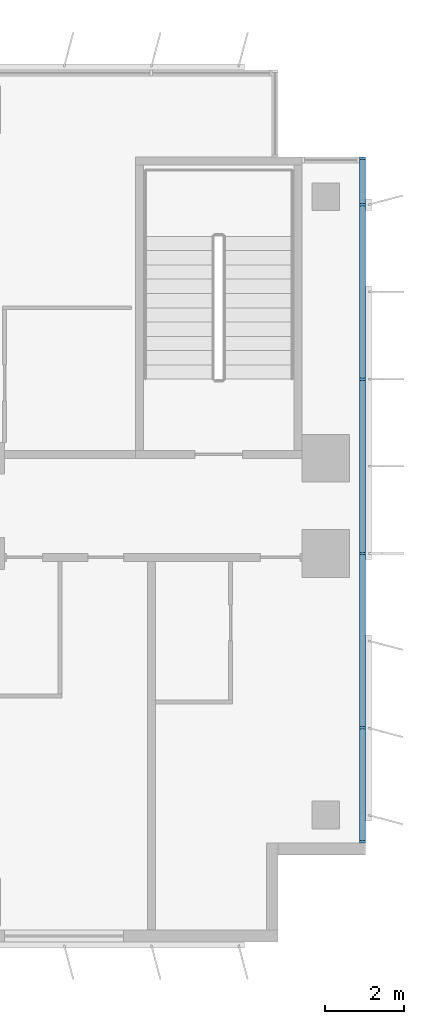
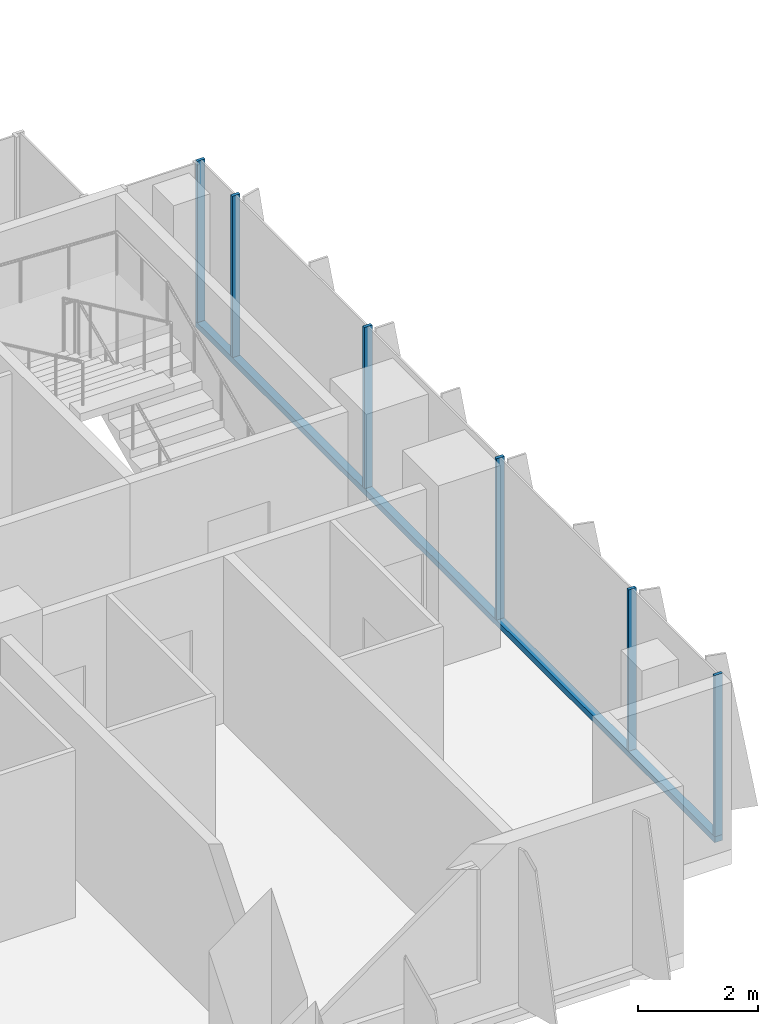
# One storey, part 8 of 23: 7 members, 1 element without a shape of its own.
"""IFC4 building model written with IfcOpenShell, lengths in metres."""

from ifc_helpers import new_model, si_unit, direction, frame, origin, origin_2d, place, context, subcontext, project, spatial, rectangle, extrude, source, transform, mapped, material, material_profile, profile_set, type_object, element, aggregate, save


model = new_model("IFC4")

# Units and contexts
model_context = context("Model", 3, precision=1e-05, world=origin(), true_north=direction((0.0, 1.0)))
body_context = subcontext(model_context, "Body", "Model", "MODEL_VIEW")
ifc_project = project(units=[si_unit("LENGTHUNIT", "METRE"), si_unit("AREAUNIT", "SQUARE_METRE"), si_unit("VOLUMEUNIT", "CUBIC_METRE"), si_unit("PLANEANGLEUNIT", "RADIAN"), si_unit("MASSUNIT", "GRAM", prefix="KILO")], contexts=[model_context])

# Site, building, storey
site_placement = place(None, origin())
site = spatial("IfcSite", under=ifc_project, at=site_placement, CompositionType="ELEMENT")
building_placement = place(site_placement, origin())
building = spatial("IfcBuilding", under=site, at=building_placement, Name="Kemantara Hotel Tower", CompositionType="ELEMENT")
storey_placement = place(building_placement, frame((0.0, 0.0, 138.300048828125)))
storey = spatial("IfcBuildingStorey", under=building, at=storey_placement, Name="L33", CompositionType="ELEMENT", Elevation=138.300048828125)

# Curtain wall, members
ifc_material_1 = material(Name="Low-E tinted double insulated glass 36 mm", Category="glass")
curtain_wall_type = type_object("IfcCurtainWallType", Name="TOWER CURTAIN WALL, FRONT FACES", PredefinedType="USERDEFINED", material=ifc_material_1)
curtain_wall_placement = place(storey_placement, origin())
curtain_wall = element("IfcCurtainWall", 1, at=curtain_wall_placement, inside=storey, type_object=curtain_wall_type, Name="CW4 L33 T2-R10-1", ObjectType="TOWER CURTAIN WALL, FRONT FACES", PredefinedType="USERDEFINED")
ifc_material_2 = material(Name="Aluminium 6063-T6 bronze anodised", Category="aluminium")
ifc_material_profile_1 = material_profile(ifc_material_2, rectangle(XDim=0.14990234375, YDim=0.1201171875, at=origin_2d()), Name="TOWER CURTAIN WALL, FRONT FACES TRANSOM")
ifc_profile_set_1 = profile_set([ifc_material_profile_1], Name="Aluminium 6063-T6 bronze anodised")
member_type_1 = type_object("IfcMemberType", Name="TOWER CURTAIN WALL, FRONT FACES TRANSOM", PredefinedType="USERDEFINED", material=ifc_profile_set_1)
member_1_placement = place(storey_placement, frame((63.52490234375, 2.5, 0.06005859375), z_axis=(0.0, 1.0, 0.0), x_axis=(-1.0, 0.0, 0.0)))
member_1 = element("IfcMember", 2, at=member_1_placement, type_object=member_type_1, Name="CW4 sill transom T2-R10-1", ObjectType="TRANSOM", PredefinedType="USERDEFINED", context=body_context, shape_type="SweptSolid", body=[
    extrude(rectangle(XDim=0.14990234375, YDim=0.1201171875, at=origin_2d()), origin(), (0.0, 0.0, 1.0), 17.300048828125),
])
ifc_material_profile_2 = material_profile(ifc_material_2, rectangle(XDim=0.14990234375, YDim=0.06005859375, at=origin_2d()), Name="TOWER CURTAIN WALL, FRONT FACES MULLION")
ifc_profile_set_2 = profile_set([ifc_material_profile_2], Name="Aluminium 6063-T6 bronze anodised")
member_type_2 = type_object("IfcMemberType", Name="TOWER CURTAIN WALL, FRONT FACES MULLION", PredefinedType="MULLION", material=ifc_profile_set_2)
shared_shape = source(origin(), body_context, "Body", "SweptSolid", [
    extrude(rectangle(XDim=0.14990234375, YDim=0.06005859375, at=origin_2d()), origin(), (0.0, 0.0, 1.0), 3.280029296875),
])
member_2_placement = place(storey_placement, frame((63.52490234375, 2.530029296875, 0.119873046875), z_axis=(0.0, 0.0, 1.0), x_axis=(-1.0, 0.0, 0.0)))
member_2 = element("IfcMember", 3, at=member_2_placement, type_object=member_type_2, Name="CW4 mullion T2-R10-1.1", PredefinedType="MULLION", context=body_context, shape_type="MappedRepresentation", body=[
    mapped(shared_shape, transform((0.0, 0.0, 0.0))),
])
member_3_placement = place(storey_placement, frame((63.52490234375, 5.39990234375, 0.119873046875), z_axis=(0.0, 0.0, 1.0), x_axis=(-1.0, 0.0, 0.0)))
member_3 = element("IfcMember", 4, at=member_3_placement, type_object=member_type_2, Name="CW4 mullion T2-R10-1.2", PredefinedType="MULLION", context=body_context, shape_type="MappedRepresentation", body=[
    mapped(shared_shape, transform((0.0, 0.0, 0.0))),
])
member_4_placement = place(storey_placement, frame((63.52490234375, 9.800048828125, 0.119873046875), z_axis=(0.0, 0.0, 1.0), x_axis=(-1.0, 0.0, 0.0)))
member_4 = element("IfcMember", 5, at=member_4_placement, type_object=member_type_2, Name="CW4 mullion T2-R10-1.3", PredefinedType="MULLION", context=body_context, shape_type="MappedRepresentation", body=[
    mapped(shared_shape, transform((0.0, 0.0, 0.0))),
])
member_5_placement = place(storey_placement, frame((63.52490234375, 14.199951171875, 0.119873046875), z_axis=(0.0, 0.0, 1.0), x_axis=(-1.0, 0.0, 0.0)))
member_5 = element("IfcMember", 6, at=member_5_placement, type_object=member_type_2, Name="CW4 mullion T2-R10-1.4", PredefinedType="MULLION", context=body_context, shape_type="MappedRepresentation", body=[
    mapped(shared_shape, transform((0.0, 0.0, 0.0))),
])
member_6_placement = place(storey_placement, frame((63.52490234375, 18.60009765625, 0.119873046875), z_axis=(0.0, 0.0, 1.0), x_axis=(-1.0, 0.0, 0.0)))
member_6 = element("IfcMember", 7, at=member_6_placement, type_object=member_type_2, Name="CW4 mullion T2-R10-1.5", PredefinedType="MULLION", context=body_context, shape_type="MappedRepresentation", body=[
    mapped(shared_shape, transform((0.0, 0.0, 0.0))),
])
member_7_placement = place(storey_placement, frame((63.52490234375, 19.77001953125, 0.119873046875), z_axis=(0.0, 0.0, 1.0), x_axis=(-1.0, 0.0, 0.0)))
member_7 = element("IfcMember", 8, at=member_7_placement, type_object=member_type_2, Name="CW4 mullion T2-R10-1.6", PredefinedType="MULLION", context=body_context, shape_type="MappedRepresentation", body=[
    mapped(shared_shape, transform((0.0, 0.0, 0.0))),
])
aggregate(curtain_wall, [member_1, member_2, member_3, member_4, member_5, member_6, member_7])

save(model, "model.ifc")
